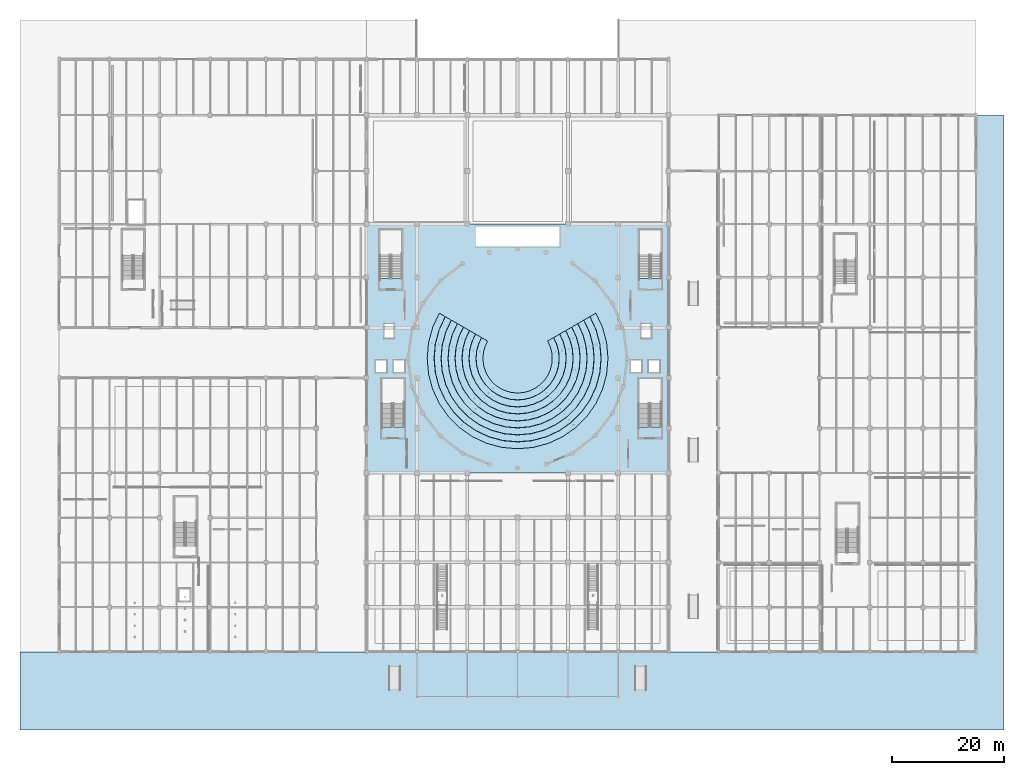
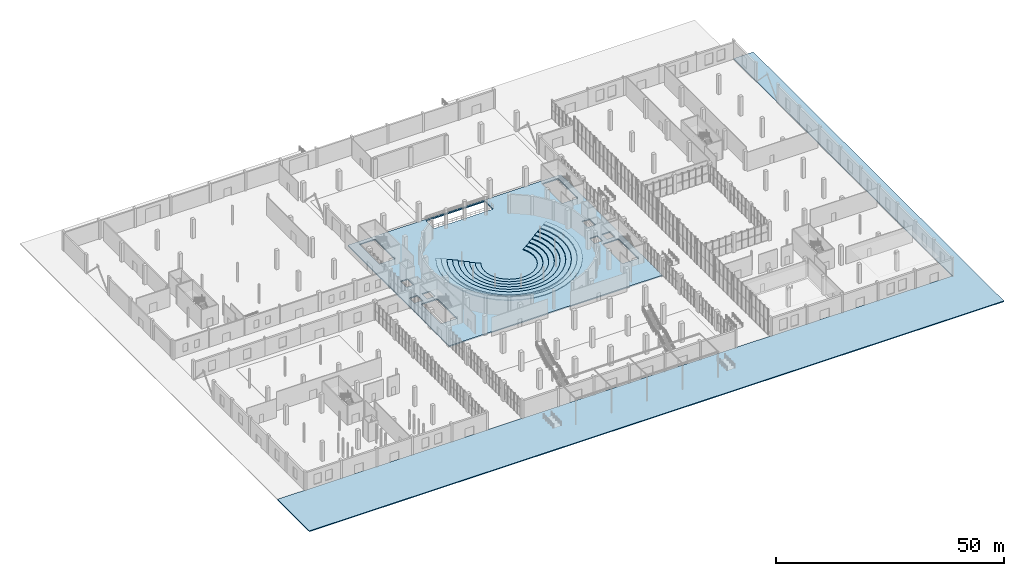
# One storey, part 68 of 103: 10 slabs.
"""IFC4 building model written with IfcOpenShell, lengths in metres."""

from ifc_helpers import new_model, si_unit, direction, frame, origin, place, context, subcontext, project, spatial, polyline, outline, extrude, material, layer, layer_set, type_object, element, save


model = new_model("IFC4")

# Units and contexts
model_context = context("Model", 3, precision=1e-05, world=origin(), true_north=direction((0.0, 1.0)))
body_context = subcontext(model_context, "Body", "Model", "MODEL_VIEW")
ifc_project = project(units=[si_unit("LENGTHUNIT", "METRE"), si_unit("AREAUNIT", "SQUARE_METRE"), si_unit("VOLUMEUNIT", "CUBIC_METRE"), si_unit("PLANEANGLEUNIT", "RADIAN"), si_unit("MASSUNIT", "GRAM", prefix="KILO")], contexts=[model_context])

# Site, building, storey
site_placement = place(None, origin())
site = spatial("IfcSite", under=ifc_project, at=site_placement, CompositionType="ELEMENT")
building_placement = place(site_placement, origin())
building = spatial("IfcBuilding", under=site, at=building_placement, Name="Marnock Terrace Opera House", CompositionType="ELEMENT")
storey_placement = place(building_placement, origin())
storey = spatial("IfcBuildingStorey", under=building, at=storey_placement, Name="L00", CompositionType="ELEMENT", Elevation=0.0)

# Slabs
ifc_material_1 = material(Name="Concrete N32 (f'c = 32 MPa)", Category="concrete")
ifc_layer_1 = layer(ifc_material_1, 0.239990234375)
ifc_layer_set_1 = layer_set([ifc_layer_1], Name="Concrete N32 (f'c = 32 MPa)")
slab_type_1 = type_object("IfcSlabType", Name="SL-APRON-240", PredefinedType="BASESLAB", material=ifc_layer_set_1)
slab_1_placement = place(storey_placement, frame((0.0, 0.0, -0.239990234375)))
element("IfcSlab", 1, at=slab_1_placement, inside=storey, type_object=slab_type_1, Name="South boulevard arrival forecourt and east sidewalk paving slab", PredefinedType="BASESLAB", context=body_context, shape_type="SweptSolid", body=[
    extrude(outline(polyline([(-7.0, -6.0), (169.0, -6.0), (169.0, 104.0), (164.0, 104.0), (164.0, 8.0), (-7.0, 8.0), (-7.0, -6.0)])), origin(), (0.0, 0.0, 1.0), 0.239990234375),
])
ifc_material_2 = material(Name="Concrete N40 (f'c = 40 MPa)", Category="concrete")
ifc_layer_2 = layer(ifc_material_2, 0.300048828125)
ifc_layer_set_2 = layer_set([ifc_layer_2], Name="Concrete N40 (f'c = 40 MPa)")
slab_type_2 = type_object("IfcSlabType", Name="SL-FLR-300", PredefinedType="FLOOR", material=ifc_layer_set_2)
slab_2_placement = place(storey_placement, frame((0.0, 0.0, -0.300048828125)))
element("IfcSlab", 2, at=slab_2_placement, inside=storey, type_object=slab_type_2, Name="L00 Auditorium promenade structural floor slab", PredefinedType="FLOOR", context=body_context, shape_type="SweptSolid", body=[
    extrude(outline(polyline([(55.0, 40.0), (109.0, 40.0), (109.0, 84.5), (55.0, 84.5), (55.0, 40.0)]), holes=[polyline([(61.719970703125, 48.239990234375), (61.719970703125, 56.919921875), (57.679931640625, 56.919921875), (57.679931640625, 48.239990234375), (61.719970703125, 48.239990234375)]), polyline([(56.580078125, 57.97998046875), (58.6201171875, 57.97998046875), (58.6201171875, 60.219970703125), (56.580078125, 60.219970703125), (56.580078125, 57.97998046875)]), polyline([(59.780029296875, 57.97998046875), (61.820068359375, 57.97998046875), (61.820068359375, 60.219970703125), (59.780029296875, 60.219970703125), (59.780029296875, 57.97998046875)]), polyline([(107.679931640625, 48.239990234375), (107.679931640625, 56.919921875), (103.639892578125, 56.919921875), (103.639892578125, 48.239990234375), (107.679931640625, 48.239990234375)]), polyline([(102.179931640625, 57.97998046875), (104.219970703125, 57.97998046875), (104.219970703125, 60.219970703125), (102.179931640625, 60.219970703125), (102.179931640625, 57.97998046875)]), polyline([(105.3798828125, 57.97998046875), (107.419921875, 57.97998046875), (107.419921875, 60.219970703125), (105.3798828125, 60.219970703125), (105.3798828125, 57.97998046875)]), polyline([(61.320068359375, 74.800048828125), (61.320068359375, 83.52001953125), (57.360107421875, 83.52001953125), (57.360107421875, 74.800048828125), (61.320068359375, 74.800048828125)]), polyline([(58.080078125, 64.080078125), (59.919921875, 64.080078125), (59.919921875, 66.719970703125), (58.080078125, 66.719970703125), (58.080078125, 64.080078125)]), polyline([(107.679931640625, 74.800048828125), (107.679931640625, 83.52001953125), (103.719970703125, 83.52001953125), (103.719970703125, 74.800048828125), (107.679931640625, 74.800048828125)]), polyline([(104.080078125, 64.080078125), (105.919921875, 64.080078125), (105.919921875, 66.719970703125), (104.080078125, 66.719970703125), (104.080078125, 64.080078125)]), polyline([(74.5, 80.5), (89.5, 80.5), (89.5, 84.10009765625), (74.5, 84.10009765625), (74.5, 80.5)])]), origin(), (0.0, 0.0, 1.0), 0.300048828125),
])
ifc_layer_3 = layer(ifc_material_2, 0.235107421875)
ifc_layer_set_3 = layer_set([ifc_layer_3], Name="Concrete N40 (f'c = 40 MPa)")
slab_type_3 = type_object("IfcSlabType", Name="SL-TIER-235", PredefinedType="USERDEFINED", material=ifc_layer_set_3)
slab_3_placement = place(storey_placement, frame((0.0, 0.0, 0.044921875)))
element("IfcSlab", 3, at=slab_3_placement, inside=storey, type_object=slab_type_3, Name="L00 Main Auditorium horseshoe seating tier 1", ObjectType="SEATING TIER", PredefinedType="USERDEFINED", context=body_context, shape_type="SweptSolid", body=[
    extrude(outline(polyline([(75.57421875, 64.2099609375), (75.027587890625, 63.037841796875), (74.692626953125, 61.78857421875), (74.580078125, 60.5), (74.692626953125, 59.21142578125), (75.027587890625, 57.962158203125), (75.57421875, 56.7900390625), (76.31591796875, 55.73046875), (77.23046875, 54.81591796875), (78.2900390625, 54.07421875), (79.462158203125, 53.527587890625), (80.71142578125, 53.192626953125), (82.0, 53.080078125), (83.28857421875, 53.192626953125), (84.537841796875, 53.527587890625), (85.7099609375, 54.07421875), (86.76953125, 54.81591796875), (87.68408203125, 55.73046875), (88.42578125, 56.7900390625), (88.972412109375, 57.962158203125), (89.307373046875, 59.21142578125), (89.419921875, 60.5), (89.307373046875, 61.78857421875), (88.972412109375, 63.037841796875), (88.42578125, 64.2099609375), (87.369384765625, 63.60009765625), (87.826171875, 62.62060546875), (88.105712890625, 61.57666015625), (88.199951171875, 60.5), (88.105712890625, 59.42333984375), (87.826171875, 58.37939453125), (87.369384765625, 57.39990234375), (86.74951171875, 56.5146484375), (85.9853515625, 55.75048828125), (85.10009765625, 55.130615234375), (84.12060546875, 54.673828125), (83.07666015625, 54.394287109375), (82.0, 54.300048828125), (80.92333984375, 54.394287109375), (79.87939453125, 54.673828125), (78.89990234375, 55.130615234375), (78.0146484375, 55.75048828125), (77.25048828125, 56.5146484375), (76.630615234375, 57.39990234375), (76.173828125, 58.37939453125), (75.894287109375, 59.42333984375), (75.800048828125, 60.5), (75.894287109375, 61.57666015625), (76.173828125, 62.62060546875), (76.630615234375, 63.60009765625), (75.57421875, 64.2099609375)])), origin(), (0.0, 0.0, 1.0), 0.235107421875),
])
slab_4_placement = place(storey_placement, frame((0.0, 0.0, 0.2451171875)))
element("IfcSlab", 4, at=slab_4_placement, inside=storey, type_object=slab_type_3, Name="L00 Main Auditorium horseshoe seating tier 2", ObjectType="SEATING TIER", PredefinedType="USERDEFINED", context=body_context, shape_type="SweptSolid", body=[
    extrude(outline(polyline([(74.49169921875, 64.8349609375), (73.852783203125, 63.46533203125), (73.461669921875, 62.005615234375), (73.330078125, 60.5), (73.461669921875, 58.994384765625), (73.852783203125, 57.53466796875), (74.49169921875, 56.1650390625), (75.3583984375, 54.927001953125), (76.427001953125, 53.8583984375), (77.6650390625, 52.99169921875), (79.03466796875, 52.352783203125), (80.494384765625, 51.961669921875), (82.0, 51.830078125), (83.505615234375, 51.961669921875), (84.96533203125, 52.352783203125), (86.3349609375, 52.99169921875), (87.572998046875, 53.8583984375), (88.6416015625, 54.927001953125), (89.50830078125, 56.1650390625), (90.147216796875, 57.53466796875), (90.538330078125, 58.994384765625), (90.669921875, 60.5), (90.538330078125, 62.005615234375), (90.147216796875, 63.46533203125), (89.50830078125, 64.8349609375), (88.451904296875, 64.22509765625), (89.000732421875, 63.048095703125), (89.3369140625, 61.793701171875), (89.449951171875, 60.5), (89.3369140625, 59.206298828125), (89.000732421875, 57.951904296875), (88.451904296875, 56.77490234375), (87.70703125, 55.711181640625), (86.788818359375, 54.79296875), (85.72509765625, 54.048095703125), (84.548095703125, 53.499267578125), (83.293701171875, 53.1630859375), (82.0, 53.050048828125), (80.706298828125, 53.1630859375), (79.451904296875, 53.499267578125), (78.27490234375, 54.048095703125), (77.211181640625, 54.79296875), (76.29296875, 55.711181640625), (75.548095703125, 56.77490234375), (74.999267578125, 57.951904296875), (74.6630859375, 59.206298828125), (74.550048828125, 60.5), (74.6630859375, 61.793701171875), (74.999267578125, 63.048095703125), (75.548095703125, 64.22509765625), (74.49169921875, 64.8349609375)])), origin(), (0.0, 0.0, 1.0), 0.23486328125),
])
slab_5_placement = place(storey_placement, frame((0.0, 0.0, 0.445068359375)))
element("IfcSlab", 5, at=slab_5_placement, inside=storey, type_object=slab_type_3, Name="L00 Main Auditorium horseshoe seating tier 3", ObjectType="SEATING TIER", PredefinedType="USERDEFINED", context=body_context, shape_type="SweptSolid", body=[
    extrude(outline(polyline([(73.408935546875, 65.4599609375), (72.67822265625, 63.892822265625), (72.230712890625, 62.22265625), (72.080078125, 60.5), (72.230712890625, 58.77734375), (72.67822265625, 57.107177734375), (73.408935546875, 55.5400390625), (74.40087890625, 54.12353515625), (75.62353515625, 52.90087890625), (77.0400390625, 51.908935546875), (78.607177734375, 51.17822265625), (80.27734375, 50.730712890625), (82.0, 50.580078125), (83.72265625, 50.730712890625), (85.392822265625, 51.17822265625), (86.9599609375, 51.908935546875), (88.37646484375, 52.90087890625), (89.59912109375, 54.12353515625), (90.591064453125, 55.5400390625), (91.32177734375, 57.107177734375), (91.769287109375, 58.77734375), (91.919921875, 60.5), (91.769287109375, 62.22265625), (91.32177734375, 63.892822265625), (90.591064453125, 65.4599609375), (89.534423828125, 64.85009765625), (90.17529296875, 63.4755859375), (90.56787109375, 62.0107421875), (90.699951171875, 60.5), (90.56787109375, 58.9892578125), (90.17529296875, 57.5244140625), (89.534423828125, 56.14990234375), (88.66455078125, 54.90771484375), (87.59228515625, 53.83544921875), (86.35009765625, 52.965576171875), (84.9755859375, 52.32470703125), (83.5107421875, 51.93212890625), (82.0, 51.800048828125), (80.4892578125, 51.93212890625), (79.0244140625, 52.32470703125), (77.64990234375, 52.965576171875), (76.40771484375, 53.83544921875), (75.33544921875, 54.90771484375), (74.465576171875, 56.14990234375), (73.82470703125, 57.5244140625), (73.43212890625, 58.9892578125), (73.300048828125, 60.5), (73.43212890625, 62.0107421875), (73.82470703125, 63.4755859375), (74.465576171875, 64.85009765625), (73.408935546875, 65.4599609375)])), origin(), (0.0, 0.0, 1.0), 0.23486328125),
])
slab_6_placement = place(storey_placement, frame((0.0, 0.0, 0.64501953125)))
element("IfcSlab", 6, at=slab_6_placement, inside=storey, type_object=slab_type_3, Name="L00 Main Auditorium horseshoe seating tier 4", ObjectType="SEATING TIER", PredefinedType="USERDEFINED", context=body_context, shape_type="SweptSolid", body=[
    extrude(outline(polyline([(72.326416015625, 66.0849609375), (71.503662109375, 64.3203125), (70.999755859375, 62.439697265625), (70.830078125, 60.5), (70.999755859375, 58.560302734375), (71.503662109375, 56.6796875), (72.326416015625, 54.9150390625), (73.443359375, 53.320068359375), (74.820068359375, 51.943359375), (76.4150390625, 50.826416015625), (78.1796875, 50.003662109375), (80.060302734375, 49.499755859375), (82.0, 49.330078125), (83.939697265625, 49.499755859375), (85.8203125, 50.003662109375), (87.5849609375, 50.826416015625), (89.179931640625, 51.943359375), (90.556640625, 53.320068359375), (91.673583984375, 54.9150390625), (92.496337890625, 56.6796875), (93.000244140625, 58.560302734375), (93.169921875, 60.5), (93.000244140625, 62.439697265625), (92.496337890625, 64.3203125), (91.673583984375, 66.0849609375), (90.616943359375, 65.47509765625), (91.349853515625, 63.903076171875), (91.798828125, 62.227783203125), (91.949951171875, 60.5), (91.798828125, 58.772216796875), (91.349853515625, 57.096923828125), (90.616943359375, 55.52490234375), (89.6220703125, 54.104248046875), (88.395751953125, 52.8779296875), (86.97509765625, 51.883056640625), (85.403076171875, 51.150146484375), (83.727783203125, 50.701171875), (82.0, 50.550048828125), (80.272216796875, 50.701171875), (78.596923828125, 51.150146484375), (77.02490234375, 51.883056640625), (75.604248046875, 52.8779296875), (74.3779296875, 54.104248046875), (73.383056640625, 55.52490234375), (72.650146484375, 57.096923828125), (72.201171875, 58.772216796875), (72.050048828125, 60.5), (72.201171875, 62.227783203125), (72.650146484375, 63.903076171875), (73.383056640625, 65.47509765625), (72.326416015625, 66.0849609375)])), origin(), (0.0, 0.0, 1.0), 0.23486328125),
])
slab_7_placement = place(storey_placement, frame((0.0, 0.0, 0.844970703125)))
element("IfcSlab", 7, at=slab_7_placement, inside=storey, type_object=slab_type_3, Name="L00 Main Auditorium horseshoe seating tier 5", ObjectType="SEATING TIER", PredefinedType="USERDEFINED", context=body_context, shape_type="SweptSolid", body=[
    extrude(outline(polyline([(71.243896484375, 66.7099609375), (70.3291015625, 64.747802734375), (69.768798828125, 62.65673828125), (69.580078125, 60.5), (69.768798828125, 58.34326171875), (70.3291015625, 56.252197265625), (71.243896484375, 54.2900390625), (72.485595703125, 52.5166015625), (74.0166015625, 50.985595703125), (75.7900390625, 49.743896484375), (77.752197265625, 48.8291015625), (79.84326171875, 48.268798828125), (82.0, 48.080078125), (84.15673828125, 48.268798828125), (86.247802734375, 48.8291015625), (88.2099609375, 49.743896484375), (89.9833984375, 50.985595703125), (91.514404296875, 52.5166015625), (92.756103515625, 54.2900390625), (93.6708984375, 56.252197265625), (94.231201171875, 58.34326171875), (94.419921875, 60.5), (94.231201171875, 62.65673828125), (93.6708984375, 64.747802734375), (92.756103515625, 66.7099609375), (91.699462890625, 66.10009765625), (92.524658203125, 64.33056640625), (93.02978515625, 62.44482421875), (93.199951171875, 60.5), (93.02978515625, 58.55517578125), (92.524658203125, 56.66943359375), (91.699462890625, 54.89990234375), (90.57958984375, 53.30078125), (89.19921875, 51.92041015625), (87.60009765625, 50.800537109375), (85.83056640625, 49.975341796875), (83.94482421875, 49.47021484375), (82.0, 49.300048828125), (80.05517578125, 49.47021484375), (78.16943359375, 49.975341796875), (76.39990234375, 50.800537109375), (74.80078125, 51.92041015625), (73.42041015625, 53.30078125), (72.300537109375, 54.89990234375), (71.475341796875, 56.66943359375), (70.97021484375, 58.55517578125), (70.800048828125, 60.5), (70.97021484375, 62.44482421875), (71.475341796875, 64.33056640625), (72.300537109375, 66.10009765625), (71.243896484375, 66.7099609375)])), origin(), (0.0, 0.0, 1.0), 0.235107421875),
])
slab_8_placement = place(storey_placement, frame((0.0, 0.0, 1.044921875)))
element("IfcSlab", 8, at=slab_8_placement, inside=storey, type_object=slab_type_3, Name="L00 Main Auditorium horseshoe seating tier 6", ObjectType="SEATING TIER", PredefinedType="USERDEFINED", context=body_context, shape_type="SweptSolid", body=[
    extrude(outline(polyline([(70.161376953125, 67.3349609375), (69.154296875, 65.17529296875), (68.53759765625, 62.873779296875), (68.330078125, 60.5), (68.53759765625, 58.126220703125), (69.154296875, 55.82470703125), (70.161376953125, 53.6650390625), (71.5283203125, 51.713134765625), (73.213134765625, 50.0283203125), (75.1650390625, 48.661376953125), (77.32470703125, 47.654296875), (79.626220703125, 47.03759765625), (82.0, 46.830078125), (84.373779296875, 47.03759765625), (86.67529296875, 47.654296875), (88.8349609375, 48.661376953125), (90.786865234375, 50.0283203125), (92.4716796875, 51.713134765625), (93.838623046875, 53.6650390625), (94.845703125, 55.82470703125), (95.46240234375, 58.126220703125), (95.669921875, 60.5), (95.46240234375, 62.873779296875), (94.845703125, 65.17529296875), (93.838623046875, 67.3349609375), (92.781982421875, 66.72509765625), (93.69921875, 64.75830078125), (94.260986328125, 62.661865234375), (94.449951171875, 60.5), (94.260986328125, 58.338134765625), (93.69921875, 56.24169921875), (92.781982421875, 54.27490234375), (91.537353515625, 52.497314453125), (90.002685546875, 50.962646484375), (88.22509765625, 49.718017578125), (86.25830078125, 48.80078125), (84.161865234375, 48.239013671875), (82.0, 48.050048828125), (79.838134765625, 48.239013671875), (77.74169921875, 48.80078125), (75.77490234375, 49.718017578125), (73.997314453125, 50.962646484375), (72.462646484375, 52.497314453125), (71.218017578125, 54.27490234375), (70.30078125, 56.24169921875), (69.739013671875, 58.338134765625), (69.550048828125, 60.5), (69.739013671875, 62.661865234375), (70.30078125, 64.75830078125), (71.218017578125, 66.72509765625), (70.161376953125, 67.3349609375)])), origin(), (0.0, 0.0, 1.0), 0.235107421875),
])
slab_9_placement = place(storey_placement, frame((0.0, 0.0, 1.2451171875)))
element("IfcSlab", 9, at=slab_9_placement, inside=storey, type_object=slab_type_3, Name="L00 Main Auditorium horseshoe seating tier 7", ObjectType="SEATING TIER", PredefinedType="USERDEFINED", context=body_context, shape_type="SweptSolid", body=[
    extrude(outline(polyline([(69.078857421875, 67.9599609375), (67.979736328125, 65.602783203125), (67.306640625, 63.0908203125), (67.080078125, 60.5), (67.306640625, 57.9091796875), (67.979736328125, 55.397216796875), (69.078857421875, 53.0400390625), (70.570556640625, 50.90966796875), (72.40966796875, 49.070556640625), (74.5400390625, 47.578857421875), (76.897216796875, 46.479736328125), (79.4091796875, 45.806640625), (82.0, 45.580078125), (84.5908203125, 45.806640625), (87.102783203125, 46.479736328125), (89.4599609375, 47.578857421875), (91.59033203125, 49.070556640625), (93.429443359375, 50.90966796875), (94.921142578125, 53.0400390625), (96.020263671875, 55.397216796875), (96.693359375, 57.9091796875), (96.919921875, 60.5), (96.693359375, 63.0908203125), (96.020263671875, 65.602783203125), (94.921142578125, 67.9599609375), (93.864501953125, 67.35009765625), (94.873779296875, 65.185791015625), (95.491943359375, 62.87890625), (95.699951171875, 60.5), (95.491943359375, 58.12109375), (94.873779296875, 55.814208984375), (93.864501953125, 53.64990234375), (92.494873046875, 51.69384765625), (90.80615234375, 50.005126953125), (88.85009765625, 48.635498046875), (86.685791015625, 47.626220703125), (84.37890625, 47.008056640625), (82.0, 46.800048828125), (79.62109375, 47.008056640625), (77.314208984375, 47.626220703125), (75.14990234375, 48.635498046875), (73.19384765625, 50.005126953125), (71.505126953125, 51.69384765625), (70.135498046875, 53.64990234375), (69.126220703125, 55.814208984375), (68.508056640625, 58.12109375), (68.300048828125, 60.5), (68.508056640625, 62.87890625), (69.126220703125, 65.185791015625), (70.135498046875, 67.35009765625), (69.078857421875, 67.9599609375)])), origin(), (0.0, 0.0, 1.0), 0.23486328125),
])
slab_10_placement = place(storey_placement, frame((0.0, 0.0, 1.445068359375)))
element("IfcSlab", 10, at=slab_10_placement, inside=storey, type_object=slab_type_3, Name="L00 Main Auditorium horseshoe seating tier 8", ObjectType="SEATING TIER", PredefinedType="USERDEFINED", context=body_context, shape_type="SweptSolid", body=[
    extrude(outline(polyline([(67.996337890625, 68.5849609375), (66.80517578125, 66.030517578125), (66.07568359375, 63.307861328125), (65.830078125, 60.5), (66.07568359375, 57.692138671875), (66.80517578125, 54.969482421875), (67.996337890625, 52.4150390625), (69.613037109375, 50.106201171875), (71.606201171875, 48.113037109375), (73.9150390625, 46.496337890625), (76.469482421875, 45.30517578125), (79.192138671875, 44.57568359375), (82.0, 44.330078125), (84.807861328125, 44.57568359375), (87.530517578125, 45.30517578125), (90.0849609375, 46.496337890625), (92.393798828125, 48.113037109375), (94.386962890625, 50.106201171875), (96.003662109375, 52.4150390625), (97.19482421875, 54.969482421875), (97.92431640625, 57.692138671875), (98.169921875, 60.5), (97.92431640625, 63.307861328125), (97.19482421875, 66.030517578125), (96.003662109375, 68.5849609375), (94.947021484375, 67.97509765625), (96.04833984375, 65.61328125), (96.722900390625, 63.095947265625), (96.949951171875, 60.5), (96.722900390625, 57.904052734375), (96.04833984375, 55.38671875), (94.947021484375, 53.02490234375), (93.452392578125, 50.890380859375), (91.609619140625, 49.047607421875), (89.47509765625, 47.552978515625), (87.11328125, 46.45166015625), (84.595947265625, 45.777099609375), (82.0, 45.550048828125), (79.404052734375, 45.777099609375), (76.88671875, 46.45166015625), (74.52490234375, 47.552978515625), (72.390380859375, 49.047607421875), (70.547607421875, 50.890380859375), (69.052978515625, 53.02490234375), (67.95166015625, 55.38671875), (67.277099609375, 57.904052734375), (67.050048828125, 60.5), (67.277099609375, 63.095947265625), (67.95166015625, 65.61328125), (69.052978515625, 67.97509765625), (67.996337890625, 68.5849609375)])), origin(), (0.0, 0.0, 1.0), 0.23486328125),
])

save(model, "model.ifc")
